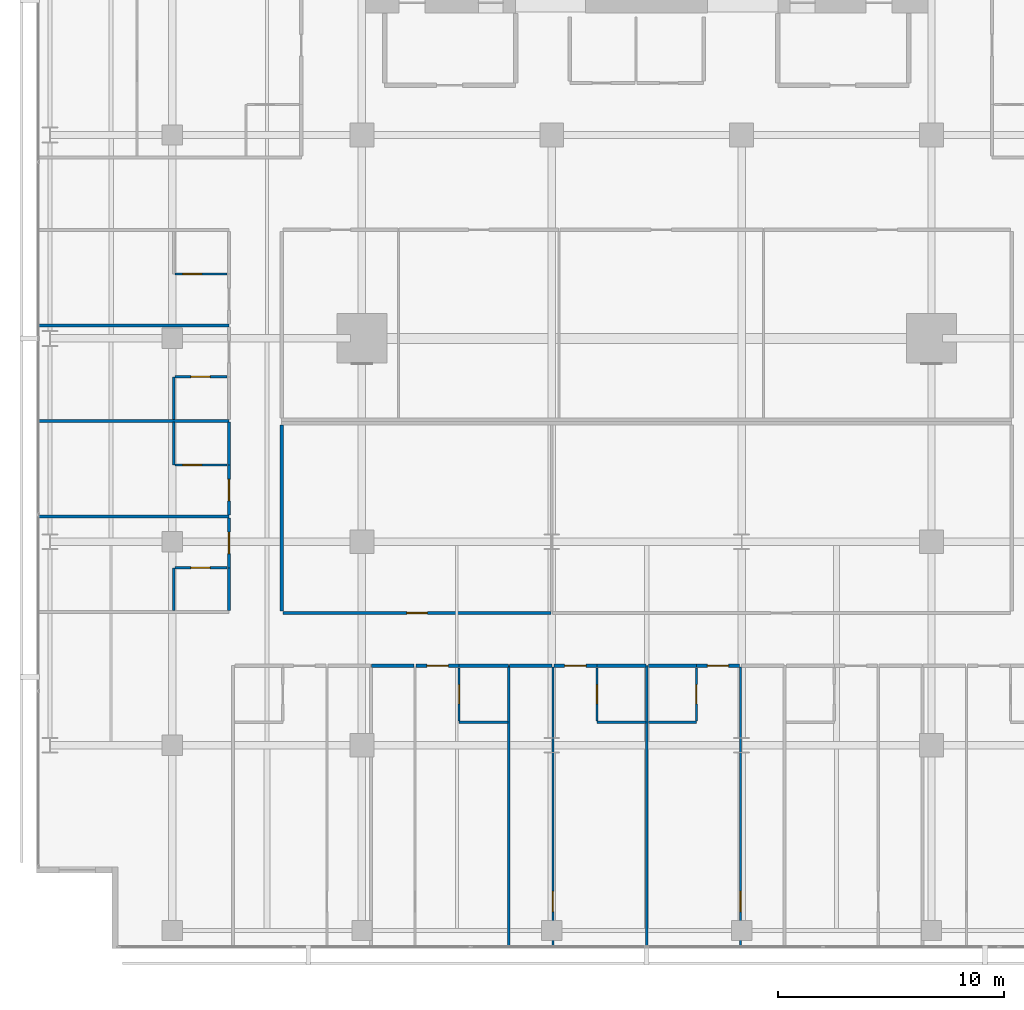
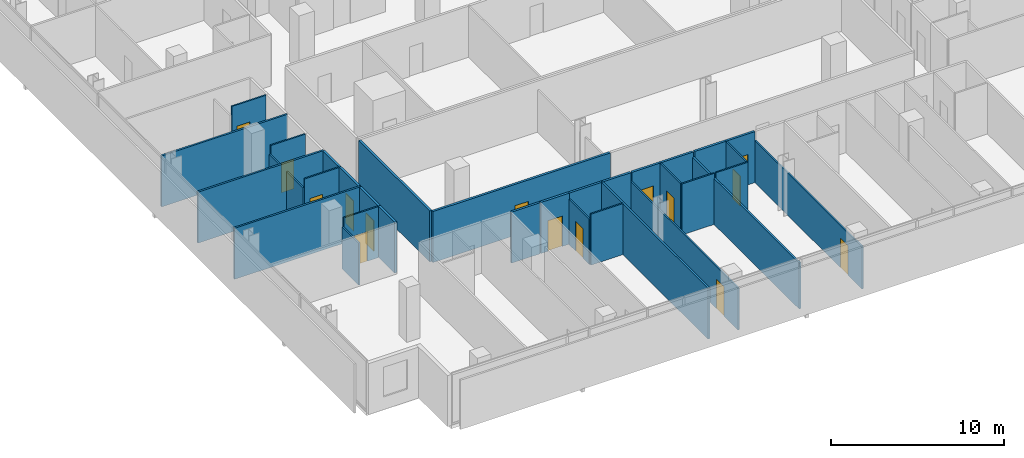
# One storey, part 33 of 40: 34 walls, 15 doors, 15 openings.
"""IFC4 building model written with IfcOpenShell, lengths in metres."""

from ifc_helpers import new_model, si_unit, direction, frame, frame_2d, origin, place, context, subcontext, project, spatial, rectangle, extrude, material, layer, layer_set, type_object, element, fill, save


model = new_model("IFC4")

# Units and contexts
model_context = context("Model", 3, precision=1e-05, world=origin(), true_north=direction((0.0, 1.0)))
body_context = subcontext(model_context, "Body", "Model", "MODEL_VIEW")
ifc_project = project(units=[si_unit("LENGTHUNIT", "METRE"), si_unit("AREAUNIT", "SQUARE_METRE"), si_unit("VOLUMEUNIT", "CUBIC_METRE"), si_unit("PLANEANGLEUNIT", "RADIAN"), si_unit("MASSUNIT", "GRAM", prefix="KILO")], contexts=[model_context])

# Site, building, storey
site_placement = place(None, origin())
site = spatial("IfcSite", under=ifc_project, at=site_placement, CompositionType="ELEMENT")
building_placement = place(site_placement, origin())
building = spatial("IfcBuilding", under=site, at=building_placement, Name="Maruvema Waterfront Hotel and Observation Tower", CompositionType="ELEMENT")
storey_placement = place(building_placement, frame((0.0, 0.0, 38.5)))
storey = spatial("IfcBuildingStorey", under=building, at=storey_placement, Name="L08", CompositionType="ELEMENT", Elevation=38.5)

# Wall
ifc_material_1 = material(Name="Twin-stud acoustic gypsum drywall", Category="gypsum")
ifc_layer_1 = layer(ifc_material_1, 0.14990234375, Name="Acoustic Corridor and Suite Demising Wall 150 mm")
ifc_layer_set_1 = layer_set([ifc_layer_1], Name="Twin-stud acoustic gypsum drywall")
wall_type_1 = type_object("IfcWallType", Name="Acoustic Corridor and Suite Demising Wall 150 mm", PredefinedType="PARTITIONING", material=ifc_layer_set_1)
wall_1_placement = place(storey_placement, frame((21.64990234375, 14.929931640625, 0.0), z_axis=(0.0, 0.0, 1.0), x_axis=(0.0, 1.0, 0.0)))
element("IfcWall", 1, at=wall_1_placement, inside=storey, type_object=wall_type_1, Name="L08 L08-INTS West Wall 033", PredefinedType="PARTITIONING", context=body_context, shape_type="SweptSolid", body=[
    extrude(rectangle(XDim=8.22998046875, YDim=0.14990234375, at=frame_2d((4.114990234375, 0.0))), origin(), (0.0, 0.0, 1.0), 3.610107421875),
])

# Wall, opening, door
wall_2_placement = place(storey_placement, frame((21.7099609375, 14.85009765625, 0.0), z_axis=(0.0, 0.0, 1.0), x_axis=(1.0, 0.0, 0.0)))
wall_2 = element("IfcWall", 2, at=wall_2_placement, inside=storey, type_object=wall_type_1, Name="L08 L08-INTS Front 1 035", PredefinedType="PARTITIONING", context=body_context, shape_type="SweptSolid", body=[
    extrude(rectangle(XDim=11.861083984375, YDim=0.14990234375, at=frame_2d((5.9306640625, 0.0))), origin(), (0.0, 0.0, 1.0), 3.610107421875),
])
opening_1_placement = place(wall_2_placement, frame((5.48046875, 0.0, 0.0)))
opening_1 = element("IfcOpeningElement", 3, at=opening_1_placement, cuts=wall_2, Name="Opening DR-090", PredefinedType="OPENING", context=body_context, shape_type="SweptSolid", body=[
    extrude(rectangle(XDim=0.89990234375, YDim=2.10009765625, at=frame_2d((0.449951171875, 1.050048828125))), frame((0.0, 0.0849609375, 0.0), z_axis=(0.0, -1.0, 0.0), x_axis=(1.0, 0.0, 0.0)), (0.0, 0.0, 1.0), 0.169921875),
])
ifc_material_2 = material(Name="Solid-core lacquered timber leaf", Category="wood")
door_type_1 = type_object("IfcDoorType", Name="Accessible Toilet and Room Door 900x2100 mm", OperationType="NOTDEFINED", PredefinedType="DOOR", material=ifc_material_2)
door_1_placement = place(opening_1_placement, frame((0.89990234375, 0.0, 0.0), z_axis=(0.0, 0.0, 1.0), x_axis=(-1.0, 0.0, 0.0)))
door_1 = element("IfcDoor", 4, at=door_1_placement, inside=storey, type_object=door_type_1, Name="L08 Guest Lounge West Door", OperationType="SINGLE_SWING_LEFT", OverallHeight=2.10009765625, OverallWidth=0.89990234375, PredefinedType="DOOR", context=body_context, shape_type="SweptSolid", body=[
    extrude(rectangle(XDim=0.89990234375, YDim=2.10009765625, at=frame_2d((0.449951171875, 1.050048828125))), frame((0.0, 0.02490234375, 0.0), z_axis=(0.0, -1.0, 0.0), x_axis=(1.0, 0.0, 0.0)), (0.0, 0.0, 1.0), 0.050048828125),
])
fill(opening_1, door_1)

# Walls
wall_3_placement = place(storey_placement, frame((29.5, 12.52001953125, 0.0), z_axis=(0.0, 0.0, 1.0), x_axis=(1.0, 0.0, 0.0)))
element("IfcWall", 5, at=wall_3_placement, inside=storey, type_object=wall_type_1, Name="L08 Bath L08-S2 Back Wall 047", PredefinedType="PARTITIONING", context=body_context, shape_type="SweptSolid", body=[
    extrude(rectangle(XDim=2.179931640625, YDim=0.14990234375, at=frame_2d((1.08984375, 0.0))), origin(), (0.0, 0.0, 1.0), 3.610107421875),
])
wall_4_placement = place(storey_placement, frame((25.6201171875, 12.52001953125, 0.0), z_axis=(0.0, 0.0, 1.0), x_axis=(1.0, 0.0, 0.0)))
element("IfcWall", 6, at=wall_4_placement, inside=storey, type_object=wall_type_1, Name="L08 Bedroom L08-S2 Back Wall 050", PredefinedType="PARTITIONING", context=body_context, shape_type="SweptSolid", body=[
    extrude(rectangle(XDim=1.889892578125, YDim=0.14990234375, at=frame_2d((0.94482421875, 0.0))), origin(), (0.0, 0.0, 1.0), 3.610107421875),
])

# Wall, opening, door
wall_5_placement = place(storey_placement, frame((27.590087890625, 12.52001953125, 0.0), z_axis=(0.0, 0.0, 1.0), x_axis=(1.0, 0.0, 0.0)))
wall_5 = element("IfcWall", 7, at=wall_5_placement, inside=storey, type_object=wall_type_1, Name="L08 Unit L08-S2 Corridor Wall 051", PredefinedType="PARTITIONING", context=body_context, shape_type="SweptSolid", body=[
    extrude(rectangle(XDim=1.909912109375, YDim=0.14990234375, at=frame_2d((0.955078125, 0.0))), origin(), (0.0, 0.0, 1.0), 3.610107421875),
])
opening_2_placement = place(wall_5_placement, frame((0.47998046875, 0.0, 0.0)))
opening_2 = element("IfcOpeningElement", 8, at=opening_2_placement, cuts=wall_5, Name="Opening DR-095", PredefinedType="OPENING", context=body_context, shape_type="SweptSolid", body=[
    extrude(rectangle(XDim=0.949951171875, YDim=2.14990234375, at=frame_2d((0.47509765625, 1.074951171875))), frame((0.0, 0.0849609375, 0.0), z_axis=(0.0, -1.0, 0.0), x_axis=(1.0, 0.0, 0.0)), (0.0, 0.0, 1.0), 0.169921875),
])
ifc_material_3 = material(Name="Acoustic solid-core hardwood timber leaf", Category="wood")
door_type_2 = type_object("IfcDoorType", Name="Guestroom Entrance Fire Door 950x2150 mm", OperationType="NOTDEFINED", PredefinedType="DOOR", material=ifc_material_3)
door_2_placement = place(opening_2_placement, frame((0.949951171875, 0.0, 0.0), z_axis=(0.0, 0.0, 1.0), x_axis=(-1.0, 0.0, 0.0)))
door_2 = element("IfcDoor", 9, at=door_2_placement, inside=storey, type_object=door_type_2, Name="L08 Unit L08-S2 Entrance Door", OperationType="SINGLE_SWING_LEFT", OverallHeight=2.14990234375, OverallWidth=0.949951171875, PredefinedType="DOOR", context=body_context, shape_type="SweptSolid", body=[
    extrude(rectangle(XDim=0.949951171875, YDim=2.14990234375, at=frame_2d((0.47509765625, 1.074951171875))), frame((0.0, 0.02490234375, 0.0), z_axis=(0.0, -1.0, 0.0), x_axis=(1.0, 0.0, 0.0)), (0.0, 0.0, 1.0), 0.050048828125),
])
fill(opening_2, door_2)

# Walls
wall_6_placement = place(storey_placement, frame((35.60009765625, 12.52001953125, 0.0), z_axis=(0.0, 0.0, 1.0), x_axis=(1.0, 0.0, 0.0)))
element("IfcWall", 10, at=wall_6_placement, inside=storey, type_object=wall_type_1, Name="L08 Bath L08-S3 Back Wall 054", PredefinedType="PARTITIONING", context=body_context, shape_type="SweptSolid", body=[
    extrude(rectangle(XDim=2.179931640625, YDim=0.14990234375, at=frame_2d((1.08984375, 0.0))), origin(), (0.0, 0.0, 1.0), 3.610107421875),
])
wall_7_placement = place(storey_placement, frame((31.719970703125, 12.52001953125, 0.0), z_axis=(0.0, 0.0, 1.0), x_axis=(1.0, 0.0, 0.0)))
element("IfcWall", 11, at=wall_7_placement, inside=storey, type_object=wall_type_1, Name="L08 Bedroom L08-S3 Back Wall 057", PredefinedType="PARTITIONING", context=body_context, shape_type="SweptSolid", body=[
    extrude(rectangle(XDim=1.89013671875, YDim=0.14990234375, at=frame_2d((0.945068359375, 0.0))), origin(), (0.0, 0.0, 1.0), 3.610107421875),
])

# Wall, opening, door
wall_8_placement = place(storey_placement, frame((33.68994140625, 12.52001953125, 0.0), z_axis=(0.0, 0.0, 1.0), x_axis=(1.0, 0.0, 0.0)))
wall_8 = element("IfcWall", 12, at=wall_8_placement, inside=storey, type_object=wall_type_1, Name="L08 Unit L08-S3 Corridor Wall 058", PredefinedType="PARTITIONING", context=body_context, shape_type="SweptSolid", body=[
    extrude(rectangle(XDim=1.91015625, YDim=0.14990234375, at=frame_2d((0.955078125, 0.0))), origin(), (0.0, 0.0, 1.0), 3.610107421875),
])
opening_3_placement = place(wall_8_placement, frame((0.47998046875, 0.0, 0.0)))
opening_3 = element("IfcOpeningElement", 13, at=opening_3_placement, cuts=wall_8, Name="Opening DR-095", PredefinedType="OPENING", context=body_context, shape_type="SweptSolid", body=[
    extrude(rectangle(XDim=0.949951171875, YDim=2.14990234375, at=frame_2d((0.47509765625, 1.074951171875))), frame((0.0, 0.0849609375, 0.0), z_axis=(0.0, -1.0, 0.0), x_axis=(1.0, 0.0, 0.0)), (0.0, 0.0, 1.0), 0.169921875),
])
door_3_placement = place(opening_3_placement, frame((0.949951171875, 0.0, 0.0), z_axis=(0.0, 0.0, 1.0), x_axis=(-1.0, 0.0, 0.0)))
door_3 = element("IfcDoor", 14, at=door_3_placement, inside=storey, type_object=door_type_2, Name="L08 Unit L08-S3 Entrance Door", OperationType="SINGLE_SWING_RIGHT", OverallHeight=2.14990234375, OverallWidth=0.949951171875, PredefinedType="DOOR", context=body_context, shape_type="SweptSolid", body=[
    extrude(rectangle(XDim=0.949951171875, YDim=2.14990234375, at=frame_2d((0.47509765625, 1.074951171875))), frame((0.0, 0.02490234375, 0.0), z_axis=(0.0, -1.0, 0.0), x_axis=(1.0, 0.0, 0.0)), (0.0, 0.0, 1.0), 0.050048828125),
])
fill(opening_3, door_3)

# Wall
wall_9_placement = place(storey_placement, frame((37.8798828125, 12.52001953125, 0.0), z_axis=(0.0, 0.0, 1.0), x_axis=(1.0, 0.0, 0.0)))
element("IfcWall", 15, at=wall_9_placement, inside=storey, type_object=wall_type_1, Name="L08 Bath L08-S4 Back Wall 061", PredefinedType="PARTITIONING", context=body_context, shape_type="SweptSolid", body=[
    extrude(rectangle(XDim=2.1201171875, YDim=0.14990234375, at=frame_2d((1.06005859375, 0.0))), origin(), (0.0, 0.0, 1.0), 3.610107421875),
])

# Wall, opening, door
wall_10_placement = place(storey_placement, frame((40.0, 12.52001953125, 0.0), z_axis=(0.0, 0.0, 1.0), x_axis=(1.0, 0.0, 0.0)))
wall_10 = element("IfcWall", 16, at=wall_10_placement, inside=storey, type_object=wall_type_1, Name="L08 Unit L08-S4 Corridor Wall 064", PredefinedType="PARTITIONING", context=body_context, shape_type="SweptSolid", body=[
    extrude(rectangle(XDim=1.909912109375, YDim=0.14990234375, at=frame_2d((0.955078125, 0.0))), origin(), (0.0, 0.0, 1.0), 3.610107421875),
])
opening_4_placement = place(wall_10_placement, frame((0.47998046875, 0.0, 0.0)))
opening_4 = element("IfcOpeningElement", 17, at=opening_4_placement, cuts=wall_10, Name="Opening DR-095", PredefinedType="OPENING", context=body_context, shape_type="SweptSolid", body=[
    extrude(rectangle(XDim=0.949951171875, YDim=2.14990234375, at=frame_2d((0.47509765625, 1.074951171875))), frame((0.0, 0.0849609375, 0.0), z_axis=(0.0, -1.0, 0.0), x_axis=(1.0, 0.0, 0.0)), (0.0, 0.0, 1.0), 0.169921875),
])
door_4_placement = place(opening_4_placement, frame((0.949951171875, 0.0, 0.0), z_axis=(0.0, 0.0, 1.0), x_axis=(-1.0, 0.0, 0.0)))
door_4 = element("IfcDoor", 18, at=door_4_placement, inside=storey, type_object=door_type_2, Name="L08 Unit L08-S4 Entrance Door", OperationType="SINGLE_SWING_LEFT", OverallHeight=2.14990234375, OverallWidth=0.949951171875, PredefinedType="DOOR", context=body_context, shape_type="SweptSolid", body=[
    extrude(rectangle(XDim=0.949951171875, YDim=2.14990234375, at=frame_2d((0.47509765625, 1.074951171875))), frame((0.0, 0.02490234375, 0.0), z_axis=(0.0, -1.0, 0.0), x_axis=(1.0, 0.0, 0.0)), (0.0, 0.0, 1.0), 0.050048828125),
])
fill(opening_4, door_4)

# Wall
wall_11_placement = place(storey_placement, frame((19.320068359375, 14.9599609375, 0.0), z_axis=(0.0, 0.0, 1.0), x_axis=(0.0, 1.0, 0.0)))
element("IfcWall", 19, at=wall_11_placement, inside=storey, type_object=wall_type_1, Name="L08 Bath L08-W1 Wall 085", PredefinedType="PARTITIONING", context=body_context, shape_type="SweptSolid", body=[
    extrude(rectangle(XDim=1.89013671875, YDim=0.14990234375, at=frame_2d((0.945068359375, 0.0))), origin(), (0.0, 0.0, 1.0), 3.610107421875),
])

# Wall, opening, door
wall_12_placement = place(storey_placement, frame((19.320068359375, 16.85009765625, 0.0), z_axis=(0.0, 0.0, 1.0), x_axis=(0.0, 1.0, 0.0)))
wall_12 = element("IfcWall", 20, at=wall_12_placement, inside=storey, type_object=wall_type_1, Name="L08 Room L08-W1 Corridor Wall 086", PredefinedType="PARTITIONING", context=body_context, shape_type="SweptSolid", body=[
    extrude(rectangle(XDim=2.2099609375, YDim=0.14990234375, at=frame_2d((1.10498046875, 0.0))), origin(), (0.0, 0.0, 1.0), 3.610107421875),
])
opening_5_placement = place(wall_12_placement, frame((0.6298828125, 0.0, 0.0)))
opening_5 = element("IfcOpeningElement", 21, at=opening_5_placement, cuts=wall_12, Name="Opening DR-095", PredefinedType="OPENING", context=body_context, shape_type="SweptSolid", body=[
    extrude(rectangle(XDim=0.949951171875, YDim=2.14990234375, at=frame_2d((0.47509765625, 1.074951171875))), frame((0.0, 0.0849609375, 0.0), z_axis=(0.0, -1.0, 0.0), x_axis=(1.0, 0.0, 0.0)), (0.0, 0.0, 1.0), 0.169921875),
])
door_5_placement = place(opening_5_placement, origin())
door_5 = element("IfcDoor", 22, at=door_5_placement, inside=storey, type_object=door_type_2, Name="L08 Room L08-W1 Entrance Door", OperationType="SINGLE_SWING_RIGHT", OverallHeight=2.14990234375, OverallWidth=0.949951171875, PredefinedType="DOOR", context=body_context, shape_type="SweptSolid", body=[
    extrude(rectangle(XDim=0.949951171875, YDim=2.14990234375, at=frame_2d((0.47509765625, 1.074951171875))), frame((0.0, 0.02490234375, 0.0), z_axis=(0.0, -1.0, 0.0), x_axis=(1.0, 0.0, 0.0)), (0.0, 0.0, 1.0), 0.050048828125),
])
fill(opening_5, door_5)

wall_13_placement = place(storey_placement, frame((19.320068359375, 19.179931640625, 0.0), z_axis=(0.0, 0.0, 1.0), x_axis=(0.0, 1.0, 0.0)))
wall_13 = element("IfcWall", 23, at=wall_13_placement, inside=storey, type_object=wall_type_1, Name="L08 Room L08-W2 Corridor Wall 095", PredefinedType="PARTITIONING", context=body_context, shape_type="SweptSolid", body=[
    extrude(rectangle(XDim=2.219970703125, YDim=0.14990234375, at=frame_2d((1.10986328125, 0.0))), origin(), (0.0, 0.0, 1.0), 3.610107421875),
])
opening_6_placement = place(wall_13_placement, frame((0.635009765625, 0.0, 0.0)))
opening_6 = element("IfcOpeningElement", 24, at=opening_6_placement, cuts=wall_13, Name="Opening DR-095", PredefinedType="OPENING", context=body_context, shape_type="SweptSolid", body=[
    extrude(rectangle(XDim=0.949951171875, YDim=2.14990234375, at=frame_2d((0.47509765625, 1.074951171875))), frame((0.0, 0.0849609375, 0.0), z_axis=(0.0, -1.0, 0.0), x_axis=(1.0, 0.0, 0.0)), (0.0, 0.0, 1.0), 0.169921875),
])
door_6_placement = place(opening_6_placement, origin())
door_6 = element("IfcDoor", 25, at=door_6_placement, inside=storey, type_object=door_type_2, Name="L08 Room L08-W2 Entrance Door", OperationType="SINGLE_SWING_RIGHT", OverallHeight=2.14990234375, OverallWidth=0.949951171875, PredefinedType="DOOR", context=body_context, shape_type="SweptSolid", body=[
    extrude(rectangle(XDim=0.949951171875, YDim=2.14990234375, at=frame_2d((0.47509765625, 1.074951171875))), frame((0.0, 0.02490234375, 0.0), z_axis=(0.0, -1.0, 0.0), x_axis=(1.0, 0.0, 0.0)), (0.0, 0.0, 1.0), 0.050048828125),
])
fill(opening_6, door_6)

# Walls
wall_14_placement = place(storey_placement, frame((19.320068359375, 21.39990234375, 0.0), z_axis=(0.0, 0.0, 1.0), x_axis=(0.0, 1.0, 0.0)))
element("IfcWall", 26, at=wall_14_placement, inside=storey, type_object=wall_type_1, Name="L08 Bath L08-W2 Wall 096", PredefinedType="PARTITIONING", context=body_context, shape_type="SweptSolid", body=[
    extrude(rectangle(XDim=1.89013671875, YDim=0.14990234375, at=frame_2d((0.945068359375, 0.0))), origin(), (0.0, 0.0, 1.0), 3.610107421875),
])
ifc_material_4 = material(Name="Moisture-resistant cement-board drywall", Category="gypsum")
ifc_layer_2 = layer(ifc_material_4, 0.10009765625, Name="En-Suite Moisture-Resistant Partition 100 mm")
ifc_layer_set_2 = layer_set([ifc_layer_2], Name="Moisture-resistant cement-board drywall")
wall_type_2 = type_object("IfcWallType", Name="En-Suite Moisture-Resistant Partition 100 mm", PredefinedType="PARTITIONING", material=ifc_layer_set_2)
wall_15_placement = place(storey_placement, frame((29.5, 10.02001953125, 0.0), z_axis=(0.0, 0.0, 1.0), x_axis=(1.0, 0.0, 0.0)))
element("IfcWall", 27, at=wall_15_placement, inside=storey, type_object=wall_type_2, Name="L08 En-Suite L08-S2 South 048", PredefinedType="PARTITIONING", context=body_context, shape_type="SweptSolid", body=[
    extrude(rectangle(XDim=2.159912109375, YDim=0.10009765625, at=frame_2d((1.080078125, 0.0))), origin(), (0.0, 0.0, 1.0), 3.610107421875),
])

# Wall, opening, door
wall_16_placement = place(storey_placement, frame((29.5, 10.080078125, 0.0), z_axis=(0.0, 0.0, 1.0), x_axis=(0.0, 1.0, 0.0)))
wall_16 = element("IfcWall", 28, at=wall_16_placement, inside=storey, type_object=wall_type_2, Name="L08 En-Suite L08-S2 West 049", PredefinedType="PARTITIONING", context=body_context, shape_type="SweptSolid", body=[
    extrude(rectangle(XDim=2.33984375, YDim=0.10009765625, at=frame_2d((1.169921875, 0.0))), origin(), (0.0, 0.0, 1.0), 3.20703125),
])
opening_7_placement = place(wall_16_placement, frame((0.7451171875, 0.0, 0.0)))
opening_7 = element("IfcOpeningElement", 29, at=opening_7_placement, cuts=wall_16, Name="Opening DR-085", PredefinedType="OPENING", context=body_context, shape_type="SweptSolid", body=[
    extrude(rectangle(XDim=0.85009765625, YDim=2.10009765625, at=frame_2d((0.425048828125, 1.050048828125))), frame((0.0, 0.06005859375, 0.0), z_axis=(0.0, -1.0, 0.0), x_axis=(1.0, 0.0, 0.0)), (0.0, 0.0, 1.0), 0.1201171875),
])
ifc_material_5 = material(Name="Moisture-resistant solid timber leaf", Category="wood")
door_type_3 = type_object("IfcDoorType", Name="En-Suite Bathroom Door 850x2100 mm", OperationType="NOTDEFINED", PredefinedType="DOOR", material=ifc_material_5)
door_7_placement = place(opening_7_placement, origin())
door_7 = element("IfcDoor", 30, at=door_7_placement, inside=storey, type_object=door_type_3, Name="L08 En-Suite L08-S2 Door", OperationType="SINGLE_SWING_RIGHT", OverallHeight=2.10009765625, OverallWidth=0.85009765625, PredefinedType="DOOR", context=body_context, shape_type="SweptSolid", body=[
    extrude(rectangle(XDim=0.85009765625, YDim=2.10009765625, at=frame_2d((0.425048828125, 1.050048828125))), frame((0.0, 0.02490234375, 0.0), z_axis=(0.0, -1.0, 0.0), x_axis=(1.0, 0.0, 0.0)), (0.0, 0.0, 1.0), 0.050048828125),
])
fill(opening_7, door_7)

# Wall
wall_17_placement = place(storey_placement, frame((35.60009765625, 10.02001953125, 0.0), z_axis=(0.0, 0.0, 1.0), x_axis=(1.0, 0.0, 0.0)))
element("IfcWall", 31, at=wall_17_placement, inside=storey, type_object=wall_type_2, Name="L08 En-Suite L08-S3 South 055", PredefinedType="PARTITIONING", context=body_context, shape_type="SweptSolid", body=[
    extrude(rectangle(XDim=2.159912109375, YDim=0.10009765625, at=frame_2d((1.080078125, 0.0))), origin(), (0.0, 0.0, 1.0), 3.610107421875),
])

# Wall, opening, door
wall_18_placement = place(storey_placement, frame((35.60009765625, 10.080078125, 0.0), z_axis=(0.0, 0.0, 1.0), x_axis=(0.0, 1.0, 0.0)))
wall_18 = element("IfcWall", 32, at=wall_18_placement, inside=storey, type_object=wall_type_2, Name="L08 En-Suite L08-S3 West 056", PredefinedType="PARTITIONING", context=body_context, shape_type="SweptSolid", body=[
    extrude(rectangle(XDim=2.33984375, YDim=0.10009765625, at=frame_2d((1.169921875, 0.0))), origin(), (0.0, 0.0, 1.0), 3.610107421875),
])
opening_8_placement = place(wall_18_placement, frame((0.7451171875, 0.0, 0.0)))
opening_8 = element("IfcOpeningElement", 33, at=opening_8_placement, cuts=wall_18, Name="Opening DR-085", PredefinedType="OPENING", context=body_context, shape_type="SweptSolid", body=[
    extrude(rectangle(XDim=0.85009765625, YDim=2.10009765625, at=frame_2d((0.425048828125, 1.050048828125))), frame((0.0, 0.06005859375, 0.0), z_axis=(0.0, -1.0, 0.0), x_axis=(1.0, 0.0, 0.0)), (0.0, 0.0, 1.0), 0.1201171875),
])
door_8_placement = place(opening_8_placement, origin())
door_8 = element("IfcDoor", 34, at=door_8_placement, inside=storey, type_object=door_type_3, Name="L08 En-Suite L08-S3 Door", OperationType="SINGLE_SWING_LEFT", OverallHeight=2.10009765625, OverallWidth=0.85009765625, PredefinedType="DOOR", context=body_context, shape_type="SweptSolid", body=[
    extrude(rectangle(XDim=0.85009765625, YDim=2.10009765625, at=frame_2d((0.425048828125, 1.050048828125))), frame((0.0, 0.02490234375, 0.0), z_axis=(0.0, -1.0, 0.0), x_axis=(1.0, 0.0, 0.0)), (0.0, 0.0, 1.0), 0.050048828125),
])
fill(opening_8, door_8)

wall_19_placement = place(storey_placement, frame((33.64990234375, 0.030029296875, 0.0), z_axis=(0.0, 0.0, 1.0), x_axis=(0.0, 1.0, 0.0)))
wall_19 = element("IfcWall", 35, at=wall_19_placement, inside=storey, type_object=wall_type_2, Name="L08 Suite L08-S3 Split 059", PredefinedType="PARTITIONING", context=body_context, shape_type="SweptSolid", body=[
    extrude(rectangle(XDim=12.429931640625, YDim=0.10009765625, at=frame_2d((6.21484375, 0.0))), origin(), (0.0, 0.0, 1.0), 2.988037109375),
])
opening_9_placement = place(wall_19_placement, frame((1.60009765625, 0.0, 0.0)))
opening_9 = element("IfcOpeningElement", 36, at=opening_9_placement, cuts=wall_19, Name="Opening DR-090", PredefinedType="OPENING", context=body_context, shape_type="SweptSolid", body=[
    extrude(rectangle(XDim=0.89990234375, YDim=2.10009765625, at=frame_2d((0.449951171875, 1.050048828125))), frame((0.0, 0.06005859375, 0.0), z_axis=(0.0, -1.0, 0.0), x_axis=(1.0, 0.0, 0.0)), (0.0, 0.0, 1.0), 0.1201171875),
])
door_9_placement = place(opening_9_placement, frame((0.89990234375, 0.0, 0.0), z_axis=(0.0, 0.0, 1.0), x_axis=(-1.0, 0.0, 0.0)))
door_9 = element("IfcDoor", 37, at=door_9_placement, inside=storey, type_object=door_type_1, Name="L08 Suite L08-S3 Bedroom Door", OperationType="SINGLE_SWING_LEFT", OverallHeight=2.10009765625, OverallWidth=0.89990234375, PredefinedType="DOOR", context=body_context, shape_type="SweptSolid", body=[
    extrude(rectangle(XDim=0.89990234375, YDim=2.10009765625, at=frame_2d((0.449951171875, 1.050048828125))), frame((0.0, 0.02490234375, 0.0), z_axis=(0.0, -1.0, 0.0), x_axis=(1.0, 0.0, 0.0)), (0.0, 0.0, 1.0), 0.050048828125),
])
fill(opening_9, door_9)

# Wall
wall_20_placement = place(storey_placement, frame((37.8798828125, 10.02001953125, 0.0), z_axis=(0.0, 0.0, 1.0), x_axis=(1.0, 0.0, 0.0)))
element("IfcWall", 38, at=wall_20_placement, inside=storey, type_object=wall_type_2, Name="L08 En-Suite L08-S4 South 062", PredefinedType="PARTITIONING", context=body_context, shape_type="SweptSolid", body=[
    extrude(rectangle(XDim=2.1201171875, YDim=0.10009765625, at=frame_2d((1.06005859375, 0.0))), origin(), (0.0, 0.0, 1.0), 3.610107421875),
])

# Wall, opening, door
wall_21_placement = place(storey_placement, frame((40.0, 10.080078125, 0.0), z_axis=(0.0, 0.0, 1.0), x_axis=(0.0, 1.0, 0.0)))
wall_21 = element("IfcWall", 39, at=wall_21_placement, inside=storey, type_object=wall_type_2, Name="L08 En-Suite L08-S4 East 063", PredefinedType="PARTITIONING", context=body_context, shape_type="SweptSolid", body=[
    extrude(rectangle(XDim=2.33984375, YDim=0.10009765625, at=frame_2d((1.169921875, 0.0))), origin(), (0.0, 0.0, 1.0), 3.610107421875),
])
opening_10_placement = place(wall_21_placement, frame((0.7451171875, 0.0, 0.0)))
opening_10 = element("IfcOpeningElement", 40, at=opening_10_placement, cuts=wall_21, Name="Opening DR-085", PredefinedType="OPENING", context=body_context, shape_type="SweptSolid", body=[
    extrude(rectangle(XDim=0.85009765625, YDim=2.10009765625, at=frame_2d((0.425048828125, 1.050048828125))), frame((0.0, 0.06005859375, 0.0), z_axis=(0.0, -1.0, 0.0), x_axis=(1.0, 0.0, 0.0)), (0.0, 0.0, 1.0), 0.1201171875),
])
door_10_placement = place(opening_10_placement, frame((0.85009765625, 0.0, 0.0), z_axis=(0.0, 0.0, 1.0), x_axis=(-1.0, 0.0, 0.0)))
door_10 = element("IfcDoor", 41, at=door_10_placement, inside=storey, type_object=door_type_3, Name="L08 En-Suite L08-S4 Door", OperationType="SINGLE_SWING_RIGHT", OverallHeight=2.10009765625, OverallWidth=0.85009765625, PredefinedType="DOOR", context=body_context, shape_type="SweptSolid", body=[
    extrude(rectangle(XDim=0.85009765625, YDim=2.10009765625, at=frame_2d((0.425048828125, 1.050048828125))), frame((0.0, 0.02490234375, 0.0), z_axis=(0.0, -1.0, 0.0), x_axis=(1.0, 0.0, 0.0)), (0.0, 0.0, 1.0), 0.050048828125),
])
fill(opening_10, door_10)

wall_22_placement = place(storey_placement, frame((41.949951171875, 0.030029296875, 0.0), z_axis=(0.0, 0.0, 1.0), x_axis=(0.0, 1.0, 0.0)))
wall_22 = element("IfcWall", 42, at=wall_22_placement, inside=storey, type_object=wall_type_2, Name="L08 Suite L08-S4 Split 066", PredefinedType="PARTITIONING", context=body_context, shape_type="SweptSolid", body=[
    extrude(rectangle(XDim=12.429931640625, YDim=0.10009765625, at=frame_2d((6.21484375, 0.0))), origin(), (0.0, 0.0, 1.0), 2.988037109375),
])
opening_11_placement = place(wall_22_placement, frame((1.60009765625, 0.0, 0.0)))
opening_11 = element("IfcOpeningElement", 43, at=opening_11_placement, cuts=wall_22, Name="Opening DR-090", PredefinedType="OPENING", context=body_context, shape_type="SweptSolid", body=[
    extrude(rectangle(XDim=0.89990234375, YDim=2.10009765625, at=frame_2d((0.449951171875, 1.050048828125))), frame((0.0, 0.06005859375, 0.0), z_axis=(0.0, -1.0, 0.0), x_axis=(1.0, 0.0, 0.0)), (0.0, 0.0, 1.0), 0.1201171875),
])
door_11_placement = place(opening_11_placement, origin())
door_11 = element("IfcDoor", 44, at=door_11_placement, inside=storey, type_object=door_type_1, Name="L08 Suite L08-S4 Bedroom Door", OperationType="SINGLE_SWING_RIGHT", OverallHeight=2.10009765625, OverallWidth=0.89990234375, PredefinedType="DOOR", context=body_context, shape_type="SweptSolid", body=[
    extrude(rectangle(XDim=0.89990234375, YDim=2.10009765625, at=frame_2d((0.449951171875, 1.050048828125))), frame((0.0, 0.02490234375, 0.0), z_axis=(0.0, -1.0, 0.0), x_axis=(1.0, 0.0, 0.0)), (0.0, 0.0, 1.0), 0.050048828125),
])
fill(opening_11, door_11)

# Wall
wall_23_placement = place(storey_placement, frame((16.8701171875, 14.9599609375, 0.0), z_axis=(0.0, 0.0, 1.0), x_axis=(0.0, 1.0, 0.0)))
element("IfcWall", 45, at=wall_23_placement, inside=storey, type_object=wall_type_2, Name="L08 En-Suite L08-W1 W 087", PredefinedType="PARTITIONING", context=body_context, shape_type="SweptSolid", body=[
    extrude(rectangle(XDim=1.89013671875, YDim=0.10009765625, at=frame_2d((0.945068359375, 0.0))), origin(), (0.0, 0.0, 1.0), 2.988037109375),
])

# Wall, opening, door
wall_24_placement = place(storey_placement, frame((16.919921875, 16.85009765625, 0.0), z_axis=(0.0, 0.0, 1.0), x_axis=(1.0, 0.0, 0.0)))
wall_24 = element("IfcWall", 46, at=wall_24_placement, inside=storey, type_object=wall_type_2, Name="L08 En-Suite L08-W1 N 088", PredefinedType="PARTITIONING", context=body_context, shape_type="SweptSolid", body=[
    extrude(rectangle(XDim=2.300048828125, YDim=0.10009765625, at=frame_2d((1.14990234375, 0.0))), origin(), (0.0, 0.0, 1.0), 3.610107421875),
])
opening_12_placement = place(wall_24_placement, frame((0.7099609375, 0.0, 0.0)))
opening_12 = element("IfcOpeningElement", 47, at=opening_12_placement, cuts=wall_24, Name="Opening DR-085", PredefinedType="OPENING", context=body_context, shape_type="SweptSolid", body=[
    extrude(rectangle(XDim=0.85009765625, YDim=2.10009765625, at=frame_2d((0.425048828125, 1.050048828125))), frame((0.0, 0.06005859375, 0.0), z_axis=(0.0, -1.0, 0.0), x_axis=(1.0, 0.0, 0.0)), (0.0, 0.0, 1.0), 0.1201171875),
])
door_12_placement = place(opening_12_placement, origin())
door_12 = element("IfcDoor", 48, at=door_12_placement, inside=storey, type_object=door_type_3, Name="L08 En-Suite L08-W1 Door", OperationType="SINGLE_SWING_LEFT", OverallHeight=2.10009765625, OverallWidth=0.85009765625, PredefinedType="DOOR", context=body_context, shape_type="SweptSolid", body=[
    extrude(rectangle(XDim=0.85009765625, YDim=2.10009765625, at=frame_2d((0.425048828125, 1.050048828125))), frame((0.0, 0.02490234375, 0.0), z_axis=(0.0, -1.0, 0.0), x_axis=(1.0, 0.0, 0.0)), (0.0, 0.0, 1.0), 0.050048828125),
])
fill(opening_12, door_12)

# Wall
wall_25_placement = place(storey_placement, frame((16.8701171875, 21.39990234375, 0.0), z_axis=(0.0, 0.0, 1.0), x_axis=(0.0, 1.0, 0.0)))
element("IfcWall", 49, at=wall_25_placement, inside=storey, type_object=wall_type_2, Name="L08 En-Suite L08-W2 W 097", PredefinedType="PARTITIONING", context=body_context, shape_type="SweptSolid", body=[
    extrude(rectangle(XDim=1.89013671875, YDim=0.10009765625, at=frame_2d((0.945068359375, 0.0))), origin(), (0.0, 0.0, 1.0), 2.988037109375),
])

# Wall, opening, door
wall_26_placement = place(storey_placement, frame((16.919921875, 21.39990234375, 0.0), z_axis=(0.0, 0.0, 1.0), x_axis=(1.0, 0.0, 0.0)))
wall_26 = element("IfcWall", 50, at=wall_26_placement, inside=storey, type_object=wall_type_2, Name="L08 En-Suite L08-W2 S 098", PredefinedType="PARTITIONING", context=body_context, shape_type="SweptSolid", body=[
    extrude(rectangle(XDim=2.300048828125, YDim=0.10009765625, at=frame_2d((1.14990234375, 0.0))), origin(), (0.0, 0.0, 1.0), 3.610107421875),
])
opening_13_placement = place(wall_26_placement, frame((0.35009765625, 0.0, 0.0)))
opening_13 = element("IfcOpeningElement", 51, at=opening_13_placement, cuts=wall_26, Name="Opening DR-085", PredefinedType="OPENING", context=body_context, shape_type="SweptSolid", body=[
    extrude(rectangle(XDim=0.85009765625, YDim=2.10009765625, at=frame_2d((0.425048828125, 1.050048828125))), frame((0.0, 0.06005859375, 0.0), z_axis=(0.0, -1.0, 0.0), x_axis=(1.0, 0.0, 0.0)), (0.0, 0.0, 1.0), 0.1201171875),
])
door_13_placement = place(opening_13_placement, frame((0.85009765625, 0.0, 0.0), z_axis=(0.0, 0.0, 1.0), x_axis=(-1.0, 0.0, 0.0)))
door_13 = element("IfcDoor", 52, at=door_13_placement, inside=storey, type_object=door_type_3, Name="L08 En-Suite L08-W2 Door", OperationType="SINGLE_SWING_LEFT", OverallHeight=2.10009765625, OverallWidth=0.85009765625, PredefinedType="DOOR", context=body_context, shape_type="SweptSolid", body=[
    extrude(rectangle(XDim=0.85009765625, YDim=2.10009765625, at=frame_2d((0.425048828125, 1.050048828125))), frame((0.0, 0.02490234375, 0.0), z_axis=(0.0, -1.0, 0.0), x_axis=(1.0, 0.0, 0.0)), (0.0, 0.0, 1.0), 0.050048828125),
])
fill(opening_13, door_13)

# Wall
wall_27_placement = place(storey_placement, frame((16.8701171875, 23.409912109375, 0.0), z_axis=(0.0, 0.0, 1.0), x_axis=(0.0, 1.0, 0.0)))
element("IfcWall", 53, at=wall_27_placement, inside=storey, type_object=wall_type_2, Name="L08 En-Suite L08-W3 W 107", PredefinedType="PARTITIONING", context=body_context, shape_type="SweptSolid", body=[
    extrude(rectangle(XDim=1.89013671875, YDim=0.10009765625, at=frame_2d((0.945068359375, 0.0))), origin(), (0.0, 0.0, 1.0), 2.988037109375),
])

# Wall, opening, door
wall_28_placement = place(storey_placement, frame((16.919921875, 25.300048828125, 0.0), z_axis=(0.0, 0.0, 1.0), x_axis=(1.0, 0.0, 0.0)))
wall_28 = element("IfcWall", 54, at=wall_28_placement, inside=storey, type_object=wall_type_2, Name="L08 En-Suite L08-W3 N 108", PredefinedType="PARTITIONING", context=body_context, shape_type="SweptSolid", body=[
    extrude(rectangle(XDim=2.300048828125, YDim=0.10009765625, at=frame_2d((1.14990234375, 0.0))), origin(), (0.0, 0.0, 1.0), 3.610107421875),
])
opening_14_placement = place(wall_28_placement, frame((0.7099609375, 0.0, 0.0)))
opening_14 = element("IfcOpeningElement", 55, at=opening_14_placement, cuts=wall_28, Name="Opening DR-085", PredefinedType="OPENING", context=body_context, shape_type="SweptSolid", body=[
    extrude(rectangle(XDim=0.85009765625, YDim=2.10009765625, at=frame_2d((0.425048828125, 1.050048828125))), frame((0.0, 0.06005859375, 0.0), z_axis=(0.0, -1.0, 0.0), x_axis=(1.0, 0.0, 0.0)), (0.0, 0.0, 1.0), 0.1201171875),
])
door_14_placement = place(opening_14_placement, origin())
door_14 = element("IfcDoor", 56, at=door_14_placement, inside=storey, type_object=door_type_3, Name="L08 En-Suite L08-W3 Door", OperationType="SINGLE_SWING_LEFT", OverallHeight=2.10009765625, OverallWidth=0.85009765625, PredefinedType="DOOR", context=body_context, shape_type="SweptSolid", body=[
    extrude(rectangle(XDim=0.85009765625, YDim=2.10009765625, at=frame_2d((0.425048828125, 1.050048828125))), frame((0.0, 0.02490234375, 0.0), z_axis=(0.0, -1.0, 0.0), x_axis=(1.0, 0.0, 0.0)), (0.0, 0.0, 1.0), 0.050048828125),
])
fill(opening_14, door_14)

wall_29_placement = place(storey_placement, frame((16.919921875, 29.85009765625, 0.0), z_axis=(0.0, 0.0, 1.0), x_axis=(1.0, 0.0, 0.0)))
wall_29 = element("IfcWall", 57, at=wall_29_placement, inside=storey, type_object=wall_type_2, Name="L08 En-Suite L08-W4 S 118", PredefinedType="PARTITIONING", context=body_context, shape_type="SweptSolid", body=[
    extrude(rectangle(XDim=2.300048828125, YDim=0.10009765625, at=frame_2d((1.14990234375, 0.0))), origin(), (0.0, 0.0, 1.0), 3.610107421875),
])
opening_15_placement = place(wall_29_placement, frame((0.35009765625, 0.0, 0.0)))
opening_15 = element("IfcOpeningElement", 58, at=opening_15_placement, cuts=wall_29, Name="Opening DR-085", PredefinedType="OPENING", context=body_context, shape_type="SweptSolid", body=[
    extrude(rectangle(XDim=0.85009765625, YDim=2.10009765625, at=frame_2d((0.425048828125, 1.050048828125))), frame((0.0, 0.06005859375, 0.0), z_axis=(0.0, -1.0, 0.0), x_axis=(1.0, 0.0, 0.0)), (0.0, 0.0, 1.0), 0.1201171875),
])
door_15_placement = place(opening_15_placement, frame((0.85009765625, 0.0, 0.0), z_axis=(0.0, 0.0, 1.0), x_axis=(-1.0, 0.0, 0.0)))
door_15 = element("IfcDoor", 59, at=door_15_placement, inside=storey, type_object=door_type_3, Name="L08 En-Suite L08-W4 Door", OperationType="SINGLE_SWING_LEFT", OverallHeight=2.10009765625, OverallWidth=0.85009765625, PredefinedType="DOOR", context=body_context, shape_type="SweptSolid", body=[
    extrude(rectangle(XDim=0.85009765625, YDim=2.10009765625, at=frame_2d((0.425048828125, 1.050048828125))), frame((0.0, 0.02490234375, 0.0), z_axis=(0.0, -1.0, 0.0), x_axis=(1.0, 0.0, 0.0)), (0.0, 0.0, 1.0), 0.050048828125),
])
fill(opening_15, door_15)

# Walls
ifc_material_6 = material(Name="Acoustic gypsum plasterboard drywall", Category="gypsum")
ifc_layer_3 = layer(ifc_material_6, 0.125, Name="Guestroom Acoustic Demising Wall 125 mm")
ifc_layer_set_3 = layer_set([ifc_layer_3], Name="Acoustic gypsum plasterboard drywall")
wall_type_3 = type_object("IfcWallType", Name="Guestroom Acoustic Demising Wall 125 mm", PredefinedType="PARTITIONING", material=ifc_layer_set_3)
wall_30_placement = place(storey_placement, frame((31.699951171875, 0.10009765625, 0.0), z_axis=(0.0, 0.0, 1.0), x_axis=(0.0, 1.0, 0.0)))
element("IfcWall", 60, at=wall_30_placement, inside=storey, type_object=wall_type_3, Name="L08 S Demising 3 053", PredefinedType="PARTITIONING", context=body_context, shape_type="SweptSolid", body=[
    extrude(rectangle(XDim=12.419921875, YDim=0.125, at=frame_2d((6.2099609375, 0.0))), origin(), (0.0, 0.0, 1.0), 3.610107421875),
])
wall_31_placement = place(storey_placement, frame((37.800048828125, 0.10009765625, 0.0), z_axis=(0.0, 0.0, 1.0), x_axis=(0.0, 1.0, 0.0)))
element("IfcWall", 61, at=wall_31_placement, inside=storey, type_object=wall_type_3, Name="L08 S Demising 4 060", PredefinedType="PARTITIONING", context=body_context, shape_type="SweptSolid", body=[
    extrude(rectangle(XDim=12.419921875, YDim=0.125, at=frame_2d((6.2099609375, 0.0))), origin(), (0.0, 0.0, 1.0), 3.2548828125),
])
for number, where, z_axis, x_axis, name in (
    (62, (10.89990234375, 19.1201171875, 0.0), (0.0, 0.0, 1.0), (1.0, 0.0, 0.0), "L08 W Demising 2 093"),
    (63, (10.89990234375, 23.35009765625, 0.0), (0.0, 0.0, 1.0), (1.0, 0.0, 0.0), "L08 W Demising 3 103"),
    (64, (10.89990234375, 27.570068359375, 0.0), (0.0, 0.0, 1.0), (1.0, 0.0, 0.0), "L08 W Demising 4 113"),
):
    element("IfcWall", number, at=place(storey_placement, frame(where, z_axis=z_axis, x_axis=x_axis)), inside=storey, type_object=wall_type_3, Name=name, PredefinedType="PARTITIONING", context=body_context, shape_type="SweptSolid", body=[
        extrude(rectangle(XDim=8.420166015625, YDim=0.125, at=frame_2d((4.2099609375, 0.0))), origin(), (0.0, 0.0, 1.0), 3.610107421875),
    ])

save(model, "model.ifc")
